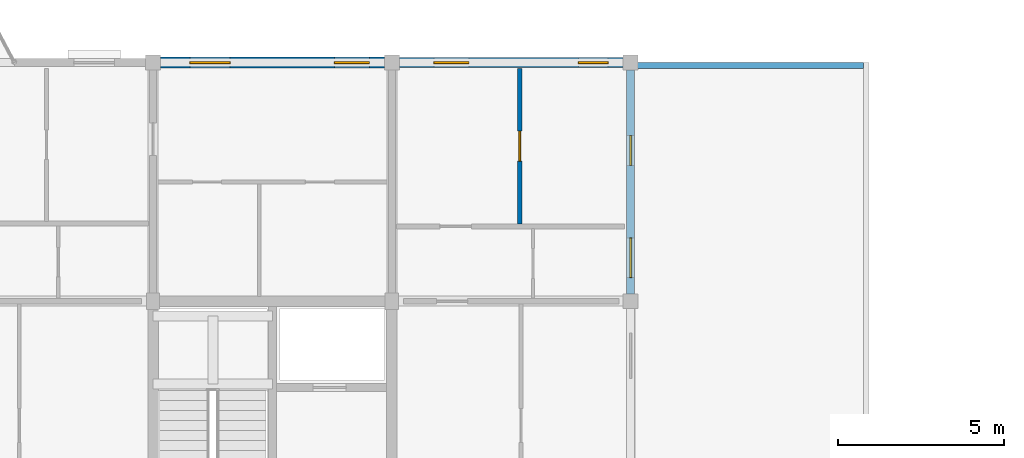
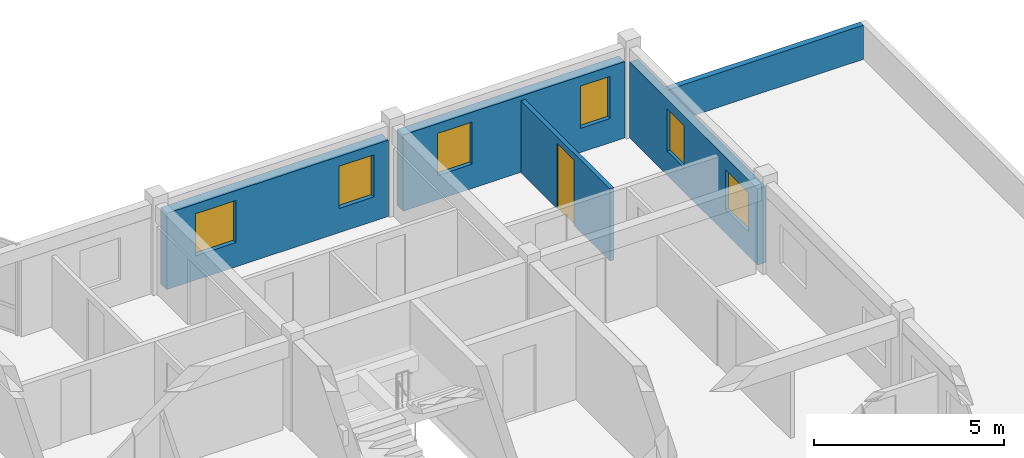
# One storey, part 36 of 40: 6 windows, 5 walls, 1 door, 7 openings.
"""IFC4 building model written with IfcOpenShell, lengths in metres."""

from ifc_helpers import new_model, si_unit, direction, frame, frame_2d, origin, place, context, subcontext, project, spatial, rectangle, extrude, material, layer, layer_set, type_object, element, fill, save


model = new_model("IFC4")

# Units and contexts
model_context = context("Model", 3, precision=1e-05, world=origin(), true_north=direction((0.0, 1.0)))
body_context = subcontext(model_context, "Body", "Model", "MODEL_VIEW")
ifc_project = project(units=[si_unit("LENGTHUNIT", "METRE"), si_unit("AREAUNIT", "SQUARE_METRE"), si_unit("VOLUMEUNIT", "CUBIC_METRE"), si_unit("PLANEANGLEUNIT", "RADIAN"), si_unit("MASSUNIT", "GRAM", prefix="KILO"), si_unit("THERMODYNAMICTEMPERATUREUNIT", "KELVIN"), si_unit("POWERUNIT", "WATT")], contexts=[model_context])

# Site, building, storey
site_placement = place(None, origin())
site = spatial("IfcSite", under=ifc_project, at=site_placement, CompositionType="ELEMENT")
building_placement = place(site_placement, origin())
building = spatial("IfcBuilding", under=site, at=building_placement, Name="Tavuni Mirador Residences", CompositionType="ELEMENT")
storey_placement = place(building_placement, frame((0.0, 0.0, 36.0)))
storey = spatial("IfcBuildingStorey", under=building, at=storey_placement, Name="L11", CompositionType="ELEMENT", Elevation=36.0)

# Wall, openings, windows
ifc_material_1 = material(Name="Precast concrete C40/50", Category="concrete")
ifc_layer_1 = layer(ifc_material_1, 0.330078125, Name="Precast concrete C40/50", Category="concrete")
ifc_layer_set_1 = layer_set([ifc_layer_1], Name="Precast concrete C40/50")
wall_type_1 = type_object("IfcWallType", Name="WT-EXT-COR330", PredefinedType="SOLIDWALL", material=ifc_layer_set_1)
wall_1_placement = place(storey_placement, frame((46.574951171875, 172.800048828125, 0.0), z_axis=(0.0, 0.0, 1.0), x_axis=(-1.0, 0.0, 0.0)))
wall_1 = element("IfcWall", 1, at=wall_1_placement, inside=storey, type_object=wall_type_1, Name="EW-BLK-C-L11-N03", PredefinedType="SOLIDWALL", context=body_context, shape_type="SweptSolid", body=[
    extrude(rectangle(XDim=6.75, YDim=0.330078125, at=frame_2d((3.375, 0.0))), origin(), (0.0, 0.0, 1.0), 2.455078125),
])
opening_1_placement = place(wall_1_placement, frame((0.449951171875, 0.0, 0.780029296875)))
opening_1 = element("IfcOpeningElement", 2, at=opening_1_placement, cuts=wall_1, Name="Opening WN-19", PredefinedType="OPENING", context=body_context, shape_type="SweptSolid", body=[
    extrude(rectangle(XDim=1.06005859375, YDim=1.360107421875, at=frame_2d((0.530029296875, 0.68017578125))), frame((0.0, 0.175048828125, 0.0), z_axis=(0.0, -1.0, 0.0), x_axis=(1.0, 0.0, 0.0)), (0.0, 0.0, 1.0), 0.35009765625),
])
opening_2_placement = place(wall_1_placement, frame((4.64990234375, 0.0, 0.780029296875)))
opening_2 = element("IfcOpeningElement", 3, at=opening_2_placement, cuts=wall_1, Name="Opening WN-21", PredefinedType="OPENING", context=body_context, shape_type="SweptSolid", body=[
    extrude(rectangle(XDim=1.219970703125, YDim=1.360107421875, at=frame_2d((0.60986328125, 0.68017578125))), frame((0.0, 0.175048828125, 0.0), z_axis=(0.0, -1.0, 0.0), x_axis=(1.0, 0.0, 0.0)), (0.0, 0.0, 1.0), 0.35009765625),
])
ifc_material_2 = material(Name="Laminated solar-control glass", Category="glass")
window_type_1 = type_object("IfcWindowType", Name="WNT-19", PartitioningType="SINGLE_PANEL", PredefinedType="WINDOW", material=ifc_material_2)
window_1_placement = place(opening_1_placement, origin())
window_1 = element("IfcWindow", 4, at=window_1_placement, inside=storey, type_object=window_type_1, Name="WIN-1327", OverallHeight=1.360107421875, OverallWidth=1.06005859375, PartitioningType="SINGLE_PANEL", PredefinedType="WINDOW", context=body_context, shape_type="SweptSolid", body=[
    extrude(rectangle(XDim=1.06005859375, YDim=1.360107421875, at=frame_2d((0.530029296875, 0.68017578125))), frame((0.0, 0.030029296875, 0.0), z_axis=(0.0, -1.0, 0.0), x_axis=(1.0, 0.0, 0.0)), (0.0, 0.0, 1.0), 0.06005859375),
])
fill(opening_1, window_1)
window_type_2 = type_object("IfcWindowType", Name="WNT-21", PartitioningType="SINGLE_PANEL", PredefinedType="WINDOW", material=ifc_material_2)
window_2_placement = place(opening_2_placement, origin())
window_2 = element("IfcWindow", 5, at=window_2_placement, inside=storey, type_object=window_type_2, Name="WIN-1328", OverallHeight=1.360107421875, OverallWidth=1.219970703125, PartitioningType="SINGLE_PANEL", PredefinedType="WINDOW", context=body_context, shape_type="SweptSolid", body=[
    extrude(rectangle(XDim=1.219970703125, YDim=1.360107421875, at=frame_2d((0.60986328125, 0.68017578125))), frame((0.0, 0.030029296875, 0.0), z_axis=(0.0, -1.0, 0.0), x_axis=(1.0, 0.0, 0.0)), (0.0, 0.0, 1.0), 0.06005859375),
])
fill(opening_2, window_2)

ifc_material_3 = material(Name="Sgraffito lime-rendered precast concrete C40/50", Category="concrete")
ifc_layer_2 = layer(ifc_material_3, 0.2451171875, Name="Sgraffito lime-rendered precast concrete C40/50", Category="concrete")
ifc_layer_set_2 = layer_set([ifc_layer_2], Name="Sgraffito lime-rendered precast concrete C40/50")
wall_type_2 = type_object("IfcWallType", Name="WT-EXT-PC245", PredefinedType="SOLIDWALL", material=ifc_layer_set_2)
wall_2_placement = place(storey_placement, frame((54.0, 165.824951171875, 0.0), z_axis=(0.0, 0.0, 1.0), x_axis=(0.0, 1.0, 0.0)))
wall_2 = element("IfcWall", 6, at=wall_2_placement, inside=storey, type_object=wall_type_2, Name="EW-BLK-C-L11-E02", PredefinedType="SOLIDWALL", context=body_context, shape_type="SweptSolid", body=[
    extrude(rectangle(XDim=6.75, YDim=0.2451171875, at=frame_2d((3.375, 0.0))), origin(), (0.0, 0.0, 1.0), 2.455078125),
])
opening_3_placement = place(wall_2_placement, frame((0.487548828125, 0.0, 0.780029296875)))
opening_3 = element("IfcOpeningElement", 7, at=opening_3_placement, cuts=wall_2, Name="Opening WN-13", PredefinedType="OPENING", context=body_context, shape_type="SweptSolid", body=[
    extrude(rectangle(XDim=1.199951171875, YDim=1.260009765625, at=frame_2d((0.60009765625, 0.6298828125))), frame((0.0, 0.132568359375, 0.0), z_axis=(0.0, -1.0, 0.0), x_axis=(1.0, 0.0, 0.0)), (0.0, 0.0, 1.0), 0.26513671875),
])
opening_4_placement = place(wall_2_placement, frame((3.87255859375, 0.0, 0.780029296875)))
opening_4 = element("IfcOpeningElement", 8, at=opening_4_placement, cuts=wall_2, Name="Opening WN-17", PredefinedType="OPENING", context=body_context, shape_type="SweptSolid", body=[
    extrude(rectangle(XDim=0.89990234375, YDim=1.360107421875, at=frame_2d((0.449951171875, 0.68017578125))), frame((0.0, 0.132568359375, 0.0), z_axis=(0.0, -1.0, 0.0), x_axis=(1.0, 0.0, 0.0)), (0.0, 0.0, 1.0), 0.26513671875),
])
window_type_3 = type_object("IfcWindowType", Name="WNT-13", PartitioningType="SINGLE_PANEL", PredefinedType="WINDOW", material=ifc_material_2)
window_3_placement = place(opening_3_placement, origin())
window_3 = element("IfcWindow", 9, at=window_3_placement, inside=storey, type_object=window_type_3, Name="WIN-1323", OverallHeight=1.260009765625, OverallWidth=1.199951171875, PartitioningType="SINGLE_PANEL", PredefinedType="WINDOW", context=body_context, shape_type="SweptSolid", body=[
    extrude(rectangle(XDim=1.199951171875, YDim=1.260009765625, at=frame_2d((0.60009765625, 0.6298828125))), frame((0.0, 0.030029296875, 0.0), z_axis=(0.0, -1.0, 0.0), x_axis=(1.0, 0.0, 0.0)), (0.0, 0.0, 1.0), 0.06005859375),
])
fill(opening_3, window_3)
window_type_4 = type_object("IfcWindowType", Name="WNT-17", PartitioningType="SINGLE_PANEL", PredefinedType="WINDOW", material=ifc_material_2)
window_4_placement = place(opening_4_placement, origin())
window_4 = element("IfcWindow", 10, at=window_4_placement, inside=storey, type_object=window_type_4, Name="WIN-1324", OverallHeight=1.360107421875, OverallWidth=0.89990234375, PartitioningType="SINGLE_PANEL", PredefinedType="WINDOW", context=body_context, shape_type="SweptSolid", body=[
    extrude(rectangle(XDim=0.89990234375, YDim=1.360107421875, at=frame_2d((0.449951171875, 0.68017578125))), frame((0.0, 0.030029296875, 0.0), z_axis=(0.0, -1.0, 0.0), x_axis=(1.0, 0.0, 0.0)), (0.0, 0.0, 1.0), 0.06005859375),
])
fill(opening_4, window_4)

ifc_layer_3 = layer(ifc_material_3, 0.31494140625, Name="Sgraffito lime-rendered precast concrete C40/50", Category="concrete")
ifc_layer_set_3 = layer_set([ifc_layer_3], Name="Sgraffito lime-rendered precast concrete C40/50")
wall_type_3 = type_object("IfcWallType", Name="WT-EXT-PC315", PredefinedType="SOLIDWALL", material=ifc_layer_set_3)
wall_3_placement = place(storey_placement, frame((53.77490234375, 172.800048828125, 0.0), z_axis=(0.0, 0.0, 1.0), x_axis=(-1.0, 0.0, 0.0)))
wall_3 = element("IfcWall", 11, at=wall_3_placement, inside=storey, type_object=wall_type_3, Name="EW-BLK-C-L11-N04", PredefinedType="SOLIDWALL", context=body_context, shape_type="SweptSolid", body=[
    extrude(rectangle(XDim=6.75, YDim=0.31494140625, at=frame_2d((3.375, 0.0))), origin(), (0.0, 0.0, 1.0), 2.455078125),
])
opening_5_placement = place(wall_3_placement, frame((0.449951171875, 0.0, 0.780029296875)))
opening_5 = element("IfcOpeningElement", 12, at=opening_5_placement, cuts=wall_3, Name="Opening WN-17", PredefinedType="OPENING", context=body_context, shape_type="SweptSolid", body=[
    extrude(rectangle(XDim=0.89990234375, YDim=1.360107421875, at=frame_2d((0.449951171875, 0.68017578125))), frame((0.0, 0.16748046875, 0.0), z_axis=(0.0, -1.0, 0.0), x_axis=(1.0, 0.0, 0.0)), (0.0, 0.0, 1.0), 0.3349609375),
])
opening_6_placement = place(wall_3_placement, frame((4.64990234375, 0.0, 0.780029296875)))
opening_6 = element("IfcOpeningElement", 13, at=opening_6_placement, cuts=wall_3, Name="Opening WN-19", PredefinedType="OPENING", context=body_context, shape_type="SweptSolid", body=[
    extrude(rectangle(XDim=1.06005859375, YDim=1.360107421875, at=frame_2d((0.530029296875, 0.68017578125))), frame((0.0, 0.16748046875, 0.0), z_axis=(0.0, -1.0, 0.0), x_axis=(1.0, 0.0, 0.0)), (0.0, 0.0, 1.0), 0.3349609375),
])
window_5_placement = place(opening_5_placement, origin())
window_5 = element("IfcWindow", 14, at=window_5_placement, inside=storey, type_object=window_type_4, Name="WIN-1325", OverallHeight=1.360107421875, OverallWidth=0.89990234375, PartitioningType="SINGLE_PANEL", PredefinedType="WINDOW", context=body_context, shape_type="SweptSolid", body=[
    extrude(rectangle(XDim=0.89990234375, YDim=1.360107421875, at=frame_2d((0.449951171875, 0.68017578125))), frame((0.0, 0.030029296875, 0.0), z_axis=(0.0, -1.0, 0.0), x_axis=(1.0, 0.0, 0.0)), (0.0, 0.0, 1.0), 0.06005859375),
])
fill(opening_5, window_5)
window_6_placement = place(opening_6_placement, origin())
window_6 = element("IfcWindow", 15, at=window_6_placement, inside=storey, type_object=window_type_1, Name="WIN-1326", OverallHeight=1.360107421875, OverallWidth=1.06005859375, PartitioningType="SINGLE_PANEL", PredefinedType="WINDOW", context=body_context, shape_type="SweptSolid", body=[
    extrude(rectangle(XDim=1.06005859375, YDim=1.360107421875, at=frame_2d((0.530029296875, 0.68017578125))), frame((0.0, 0.030029296875, 0.0), z_axis=(0.0, -1.0, 0.0), x_axis=(1.0, 0.0, 0.0)), (0.0, 0.0, 1.0), 0.06005859375),
])
fill(opening_6, window_6)

# Wall
ifc_layer_4 = layer(ifc_material_1, 0.175048828125, Name="Precast concrete C40/50", Category="concrete")
ifc_layer_set_4 = layer_set([ifc_layer_4], Name="Precast concrete C40/50")
wall_type_4 = type_object("IfcWallType", Name="WT-PAR175", PredefinedType="PARAPET", material=ifc_layer_set_4)
wall_4_placement = place(storey_placement, frame((54.0, 172.71240234375, 0.0), z_axis=(0.0, 0.0, 1.0), x_axis=(1.0, 0.0, 0.0)))
element("IfcWall", 16, at=wall_4_placement, inside=storey, type_object=wall_type_4, Name="Setback roof parapet ROOF-C-L11-E N", PredefinedType="PARAPET", context=body_context, shape_type="SweptSolid", body=[
    extrude(rectangle(XDim=7.02490234375, YDim=0.175048828125, at=frame_2d((3.512451171875, 0.0))), origin(), (0.0, 0.0, 1.0), 1.10009765625),
])

# Wall, opening, door
ifc_material_4 = material(Name="Acoustic gypsum and concrete block partition", Category="concrete")
ifc_layer_5 = layer(ifc_material_4, 0.125, Name="Acoustic gypsum and concrete block partition", Category="concrete")
ifc_layer_set_5 = layer_set([ifc_layer_5], Name="Acoustic gypsum and concrete block partition")
wall_type_5 = type_object("IfcWallType", Name="WT-PART125", PredefinedType="PARTITIONING", material=ifc_layer_set_5)
wall_5_placement = place(storey_placement, frame((50.659912109375, 167.929931640625, 0.0), z_axis=(0.0, 0.0, 1.0), x_axis=(0.0, 1.0, 0.0)))
wall_5 = element("IfcWall", 17, at=wall_5_placement, inside=storey, type_object=wall_type_5, Name="PW-BLK-C-L11-N04-OUT", PredefinedType="PARTITIONING", context=body_context, shape_type="SweptSolid", body=[
    extrude(rectangle(XDim=4.695068359375, YDim=0.125, at=frame_2d((2.34765625, 0.0))), origin(), (0.0, 0.0, 1.0), 2.320068359375),
])
opening_7_placement = place(wall_5_placement, frame((1.8974609375, 0.0, 0.0)))
opening_7 = element("IfcOpeningElement", 18, at=opening_7_placement, cuts=wall_5, Name="Opening D-07", PredefinedType="OPENING", context=body_context, shape_type="SweptSolid", body=[
    extrude(rectangle(XDim=0.89990234375, YDim=2.10009765625, at=frame_2d((0.449951171875, 1.050048828125))), frame((0.0, 0.072509765625, 0.0), z_axis=(0.0, -1.0, 0.0), x_axis=(1.0, 0.0, 0.0)), (0.0, 0.0, 1.0), 0.14501953125),
])
ifc_material_5 = material(Name="Solid core iroko timber", Category="wood")
door_type = type_object("IfcDoorType", Name="DT-BED900", OperationType="NOTDEFINED", PredefinedType="DOOR", material=ifc_material_5)
door_placement = place(opening_7_placement, origin())
door = element("IfcDoor", 19, at=door_placement, inside=storey, type_object=door_type, Name="DR-4224", OperationType="SINGLE_SWING_RIGHT", OverallHeight=2.10009765625, OverallWidth=0.89990234375, PredefinedType="DOOR", context=body_context, shape_type="SweptSolid", body=[
    extrude(rectangle(XDim=0.89990234375, YDim=2.10009765625, at=frame_2d((0.449951171875, 1.050048828125))), frame((0.0, 0.02490234375, 0.0), z_axis=(0.0, -1.0, 0.0), x_axis=(1.0, 0.0, 0.0)), (0.0, 0.0, 1.0), 0.050048828125),
])
fill(opening_7, door)

save(model, "model.ifc")
